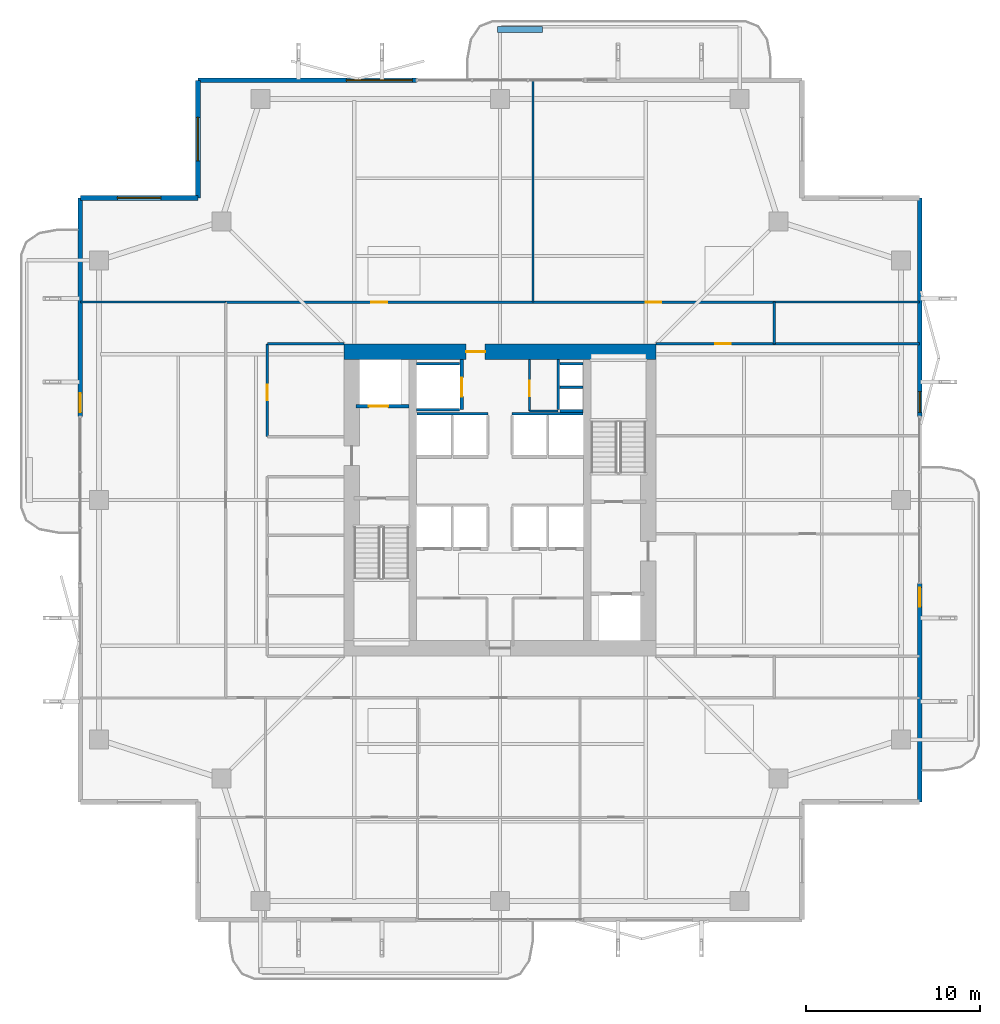
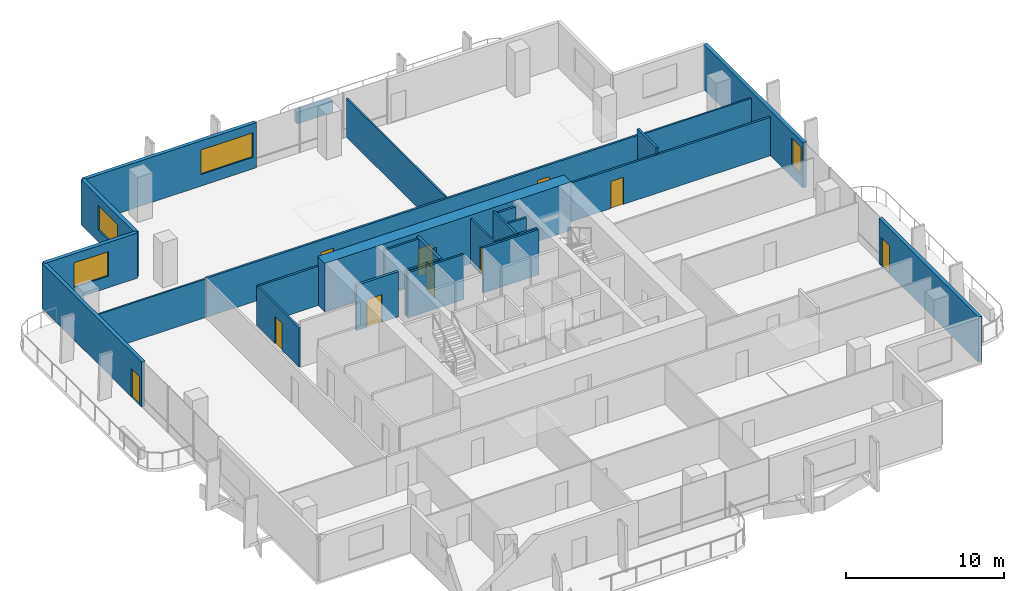
# One storey, part 21 of 25: 28 walls, 10 doors, 4 windows, 14 openings.
"""IFC4 building model written with IfcOpenShell, lengths in metres."""

from ifc_helpers import new_model, si_unit, direction, frame, frame_2d, origin, place, context, subcontext, project, spatial, rectangle, extrude, material, layer, layer_set, type_object, element, fill, save


model = new_model("IFC4")

# Units and contexts
model_context = context("Model", 3, precision=1e-05, world=origin(), true_north=direction((0.0, 1.0)))
body_context = subcontext(model_context, "Body", "Model", "MODEL_VIEW")
ifc_project = project(units=[si_unit("LENGTHUNIT", "METRE"), si_unit("AREAUNIT", "SQUARE_METRE"), si_unit("VOLUMEUNIT", "CUBIC_METRE"), si_unit("PLANEANGLEUNIT", "RADIAN"), si_unit("MASSUNIT", "GRAM", prefix="KILO")], contexts=[model_context])

# Site, building, storey
site_placement = place(None, origin())
site = spatial("IfcSite", under=ifc_project, at=site_placement, CompositionType="ELEMENT")
building_placement = place(site_placement, origin())
building = spatial("IfcBuilding", under=site, at=building_placement, Name="Belovzor Exchange Tower", CompositionType="ELEMENT")
storey_placement = place(building_placement, frame((0.0, 0.0, 149.550048828125)))
storey = spatial("IfcBuildingStorey", under=building, at=storey_placement, Name="L36", CompositionType="ELEMENT", Elevation=149.550048828125)

# Walls
ifc_material_1 = material(Name="Acoustic Plasterboard on Galvanised Studs", Category="gypsum")
ifc_layer_1 = layer(ifc_material_1, 0.1201171875)
ifc_layer_set_1 = layer_set([ifc_layer_1], Name="Acoustic Plasterboard on Galvanised Studs")
wall_type_1 = type_object("IfcWallType", Name="Acoustic Double-Stud Partition Wall 120", PredefinedType="PARTITIONING", material=ifc_layer_set_1)
wall_1_placement = place(storey_placement, frame((30.68994140625, 40.199951171875, 0.0), z_axis=(0.0, 0.0, 1.0), x_axis=(0.0, 1.0, 0.0)))
element("IfcWall", 1, at=wall_1_placement, inside=storey, type_object=wall_type_1, Name="W-P120 Partition Wall W-L36-NDIV-1", PredefinedType="PARTITIONING", context=body_context, shape_type="SweptSolid", body=[
    extrude(rectangle(XDim=12.77001953125, YDim=0.1201171875, at=frame_2d((6.385009765625, 0.0))), origin(), (0.0, 0.0, 1.0), 2.97998046875),
])
wall_2_placement = place(storey_placement, frame((4.6298828125, 40.199951171875, 0.0), z_axis=(0.0, 0.0, 1.0), x_axis=(1.0, 0.0, 0.0)))
element("IfcWall", 2, at=wall_2_placement, inside=storey, type_object=wall_type_1, Name="W-P120 Partition Wall W-L36-END-NW", PredefinedType="PARTITIONING", context=body_context, shape_type="SweptSolid", body=[
    extrude(rectangle(XDim=8.3701171875, YDim=0.1201171875, at=frame_2d((4.18505859375, 0.0))), origin(), (0.0, 0.0, 1.0), 2.97998046875),
])
wall_3_placement = place(storey_placement, frame((44.60009765625, 40.199951171875, 0.0), z_axis=(0.0, 0.0, 1.0), x_axis=(1.0, 0.0, 0.0)))
element("IfcWall", 3, at=wall_3_placement, inside=storey, type_object=wall_type_1, Name="W-P120 Partition Wall W-L36-END-NE", PredefinedType="PARTITIONING", context=body_context, shape_type="SweptSolid", body=[
    extrude(rectangle(XDim=8.369873046875, YDim=0.1201171875, at=frame_2d((4.18505859375, 0.0))), origin(), (0.0, 0.0, 1.0), 2.97998046875),
])

# Wall, opening, door
ifc_material_2 = material(Name="Fire-Rated Plasterboard on Galvanised Studs", Category="gypsum")
ifc_layer_2 = layer(ifc_material_2, 0.1201171875)
ifc_layer_set_2 = layer_set([ifc_layer_2], Name="Fire-Rated Plasterboard on Galvanised Studs")
wall_type_2 = type_object("IfcWallType", Name="Fire-Rated Double-Stud Partition Wall 120", PredefinedType="PARTITIONING", material=ifc_layer_set_2)
wall_4_placement = place(storey_placement, frame((30.5, 33.925048828125, 0.0), z_axis=(0.0, 0.0, 1.0), x_axis=(0.0, 1.0, 0.0)))
wall_4 = element("IfcWall", 4, at=wall_4_placement, inside=storey, type_object=wall_type_2, Name="W-P120F Partition Wall W-CRV-L36-W", PredefinedType="PARTITIONING", context=body_context, shape_type="SweptSolid", body=[
    extrude(rectangle(XDim=2.974853515625, YDim=0.1201171875, at=frame_2d((1.4873046875, 0.0))), origin(), (0.0, 0.0, 1.0), 3.494873046875),
])
opening_1_placement = place(wall_4_placement, frame((0.85009765625, 0.0, 0.0)))
opening_1 = element("IfcOpeningElement", 5, at=opening_1_placement, cuts=wall_4, Name="Opening D-FD60-090", PredefinedType="OPENING", context=body_context, shape_type="SweptSolid", body=[
    extrude(rectangle(XDim=0.89990234375, YDim=2.10009765625, at=frame_2d((0.449951171875, 1.050048828125))), frame((0.0, 0.070068359375, 0.0), z_axis=(0.0, -1.0, 0.0), x_axis=(1.0, 0.0, 0.0)), (0.0, 0.0, 1.0), 0.14013671875),
])
ifc_material_3 = material(Name="Acoustic Timber Fire Leaf", Category="wood")
door_type_1 = type_object("IfcDoorType", Name="Core Service & Restroom Fire Door 900x2100", OperationType="NOTDEFINED", PredefinedType="DOOR", material=ifc_material_3)
door_1_placement = place(opening_1_placement, origin())
door_1 = element("IfcDoor", 6, at=door_1_placement, inside=storey, type_object=door_type_1, Name="D-FD60-090 Core Service & Restroom Fire Door 900x2100", OperationType="SINGLE_SWING_LEFT", OverallHeight=2.10009765625, OverallWidth=0.89990234375, PredefinedType="DOOR", context=body_context, shape_type="SweptSolid", body=[
    extrude(rectangle(XDim=0.89990234375, YDim=2.10009765625, at=frame_2d((0.449951171875, 1.050048828125))), frame((0.0, 0.02490234375, 0.0), z_axis=(0.0, -1.0, 0.0), x_axis=(1.0, 0.0, 0.0)), (0.0, 0.0, 1.0), 0.050048828125),
])
fill(opening_1, door_1)

# Walls
wall_5_placement = place(storey_placement, frame((30.5, 33.925048828125, 0.0), z_axis=(0.0, 0.0, 1.0), x_axis=(1.0, 0.0, 0.0)))
element("IfcWall", 7, at=wall_5_placement, inside=storey, type_object=wall_type_2, Name="W-P120F Partition Wall W-CRV-L36-S", PredefinedType="PARTITIONING", context=body_context, shape_type="SweptSolid", body=[
    extrude(rectangle(XDim=1.64990234375, YDim=0.1201171875, at=frame_2d((0.824951171875, 0.0))), origin(), (0.0, 0.0, 1.0), 3.494873046875),
])
ifc_material_4 = material(Name="Fire-Rated Gypsum Block and Mineral Wool", Category="gypsum")
ifc_layer_3 = layer(ifc_material_4, 0.14990234375)
ifc_layer_set_3 = layer_set([ifc_layer_3], Name="Fire-Rated Gypsum Block and Mineral Wool")
wall_type_3 = type_object("IfcWallType", Name="Fire-Rated Gypsum Block Corridor Wall 150", PredefinedType="PARTITIONING", material=ifc_layer_set_3)
wall_6_placement = place(storey_placement, frame((15.39990234375, 37.800048828125, 0.0), z_axis=(0.0, 0.0, 1.0), x_axis=(1.0, 0.0, 0.0)))
element("IfcWall", 8, at=wall_6_placement, inside=storey, type_object=wall_type_3, Name="W-P150 Partition Wall W-L36-INW-N", PredefinedType="PARTITIONING", context=body_context, shape_type="SweptSolid", body=[
    extrude(rectangle(XDim=4.400146484375, YDim=0.14990234375, at=frame_2d((2.2001953125, 0.0))), origin(), (0.0, 0.0, 1.0), 3.030029296875),
])

# Wall, opening, door
wall_7_placement = place(storey_placement, frame((15.39990234375, 32.449951171875, 0.0), z_axis=(0.0, 0.0, 1.0), x_axis=(0.0, 1.0, 0.0)))
wall_7 = element("IfcWall", 9, at=wall_7_placement, inside=storey, type_object=wall_type_3, Name="W-P150 Partition Wall W-L36-WIE-N", PredefinedType="PARTITIONING", context=body_context, shape_type="SweptSolid", body=[
    extrude(rectangle(XDim=5.35009765625, YDim=0.14990234375, at=frame_2d((2.675048828125, 0.0))), origin(), (0.0, 0.0, 1.0), 3.030029296875),
])
opening_2_placement = place(wall_7_placement, frame((2.10009765625, 0.0, 0.0)))
opening_2 = element("IfcOpeningElement", 10, at=opening_2_placement, cuts=wall_7, Name="Opening D-FD60-090", PredefinedType="OPENING", context=body_context, shape_type="SweptSolid", body=[
    extrude(rectangle(XDim=0.89990234375, YDim=2.10009765625, at=frame_2d((0.449951171875, 1.050048828125))), frame((0.0, 0.0849609375, 0.0), z_axis=(0.0, -1.0, 0.0), x_axis=(1.0, 0.0, 0.0)), (0.0, 0.0, 1.0), 0.169921875),
])
door_2_placement = place(opening_2_placement, origin())
door_2 = element("IfcDoor", 11, at=door_2_placement, inside=storey, type_object=door_type_1, Name="D-FD60-090 Core Service & Restroom Fire Door 900x2100", OperationType="SINGLE_SWING_LEFT", OverallHeight=2.10009765625, OverallWidth=0.89990234375, PredefinedType="DOOR", context=body_context, shape_type="SweptSolid", body=[
    extrude(rectangle(XDim=0.89990234375, YDim=2.10009765625, at=frame_2d((0.449951171875, 1.050048828125))), frame((0.0, 0.02490234375, 0.0), z_axis=(0.0, -1.0, 0.0), x_axis=(1.0, 0.0, 0.0)), (0.0, 0.0, 1.0), 0.050048828125),
])
fill(opening_2, door_2)

# Wall
wall_8_placement = place(storey_placement, frame((44.60009765625, 37.800048828125, 0.0), z_axis=(0.0, 0.0, 1.0), x_axis=(0.0, 1.0, 0.0)))
element("IfcWall", 12, at=wall_8_placement, inside=storey, type_object=wall_type_3, Name="W-P150 Partition Wall W-L36-END-EN", PredefinedType="PARTITIONING", context=body_context, shape_type="SweptSolid", body=[
    extrude(rectangle(XDim=2.39990234375, YDim=0.14990234375, at=frame_2d((1.199951171875, 0.0))), origin(), (0.0, 0.0, 1.0), 3.494873046875),
])

# Wall, opening, door
wall_9_placement = place(storey_placement, frame((37.800048828125, 37.800048828125, 0.0), z_axis=(0.0, 0.0, 1.0), x_axis=(1.0, 0.0, 0.0)))
wall_9 = element("IfcWall", 13, at=wall_9_placement, inside=storey, type_object=wall_type_3, Name="W-P150 Partition Wall W-L36-CN-IN", PredefinedType="PARTITIONING", context=body_context, shape_type="SweptSolid", body=[
    extrude(rectangle(XDim=15.169921875, YDim=0.14990234375, at=frame_2d((7.5849609375, 0.0))), origin(), (0.0, 0.0, 1.0), 2.97998046875),
])
opening_3_placement = place(wall_9_placement, frame((3.39990234375, 0.0, 0.0)))
opening_3 = element("IfcOpeningElement", 14, at=opening_3_placement, cuts=wall_9, Name="Opening D-INT-090", PredefinedType="OPENING", context=body_context, shape_type="SweptSolid", body=[
    extrude(rectangle(XDim=0.89990234375, YDim=2.10009765625, at=frame_2d((0.449951171875, 1.050048828125))), frame((0.0, 0.0849609375, 0.0), z_axis=(0.0, -1.0, 0.0), x_axis=(1.0, 0.0, 0.0)), (0.0, 0.0, 1.0), 0.169921875),
])
ifc_material_5 = material(Name="Veneered Hardwood Acoustic Leaf", Category="wood")
door_type_2 = type_object("IfcDoorType", Name="Trading Suite Acoustic Single Door 900x2100", OperationType="NOTDEFINED", PredefinedType="DOOR", material=ifc_material_5)
door_3_placement = place(opening_3_placement, origin())
door_3 = element("IfcDoor", 15, at=door_3_placement, inside=storey, type_object=door_type_2, Name="D-INT-090 Trading Suite Acoustic Single Door 900x2100", OperationType="SINGLE_SWING_RIGHT", OverallHeight=2.10009765625, OverallWidth=0.89990234375, PredefinedType="DOOR", context=body_context, shape_type="SweptSolid", body=[
    extrude(rectangle(XDim=0.89990234375, YDim=2.10009765625, at=frame_2d((0.449951171875, 1.050048828125))), frame((0.0, 0.02490234375, 0.0), z_axis=(0.0, -1.0, 0.0), x_axis=(1.0, 0.0, 0.0)), (0.0, 0.0, 1.0), 0.050048828125),
])
fill(opening_3, door_3)

# Wall, openings, doors
wall_10_placement = place(storey_placement, frame((13.0, 40.199951171875, 0.0), z_axis=(0.0, 0.0, 1.0), x_axis=(1.0, 0.0, 0.0)))
wall_10 = element("IfcWall", 16, at=wall_10_placement, inside=storey, type_object=wall_type_3, Name="W-P150 Partition Wall W-L36-CN", PredefinedType="PARTITIONING", context=body_context, shape_type="SweptSolid", body=[
    extrude(rectangle(XDim=31.60009765625, YDim=0.14990234375, at=frame_2d((15.800048828125, 0.0))), origin(), (0.0, 0.0, 1.0), 3.030029296875),
])
opening_4_placement = place(wall_10_placement, frame((8.39501953125, 0.0, 0.0)))
opening_4 = element("IfcOpeningElement", 17, at=opening_4_placement, cuts=wall_10, Name="Opening D-INT-090", PredefinedType="OPENING", context=body_context, shape_type="SweptSolid", body=[
    extrude(rectangle(XDim=0.89990234375, YDim=2.10009765625, at=frame_2d((0.449951171875, 1.050048828125))), frame((0.0, 0.0849609375, 0.0), z_axis=(0.0, -1.0, 0.0), x_axis=(1.0, 0.0, 0.0)), (0.0, 0.0, 1.0), 0.169921875),
])
opening_5_placement = place(wall_10_placement, frame((24.195068359375, 0.0, 0.0)))
opening_5 = element("IfcOpeningElement", 18, at=opening_5_placement, cuts=wall_10, Name="Opening D-INT-090", PredefinedType="OPENING", context=body_context, shape_type="SweptSolid", body=[
    extrude(rectangle(XDim=0.89990234375, YDim=2.10009765625, at=frame_2d((0.449951171875, 1.050048828125))), frame((0.0, 0.0849609375, 0.0), z_axis=(0.0, -1.0, 0.0), x_axis=(1.0, 0.0, 0.0)), (0.0, 0.0, 1.0), 0.169921875),
])
door_4_placement = place(opening_4_placement, origin())
door_4 = element("IfcDoor", 19, at=door_4_placement, inside=storey, type_object=door_type_2, Name="D-INT-090 Trading Suite Acoustic Single Door 900x2100", OperationType="SINGLE_SWING_LEFT", OverallHeight=2.10009765625, OverallWidth=0.89990234375, PredefinedType="DOOR", context=body_context, shape_type="SweptSolid", body=[
    extrude(rectangle(XDim=0.89990234375, YDim=2.10009765625, at=frame_2d((0.449951171875, 1.050048828125))), frame((0.0, 0.02490234375, 0.0), z_axis=(0.0, -1.0, 0.0), x_axis=(1.0, 0.0, 0.0)), (0.0, 0.0, 1.0), 0.050048828125),
])
fill(opening_4, door_4)
door_5_placement = place(opening_5_placement, origin())
door_5 = element("IfcDoor", 20, at=door_5_placement, inside=storey, type_object=door_type_2, Name="D-INT-090 Trading Suite Acoustic Single Door 900x2100", OperationType="SINGLE_SWING_RIGHT", OverallHeight=2.10009765625, OverallWidth=0.89990234375, PredefinedType="DOOR", context=body_context, shape_type="SweptSolid", body=[
    extrude(rectangle(XDim=0.89990234375, YDim=2.10009765625, at=frame_2d((0.449951171875, 1.050048828125))), frame((0.0, 0.02490234375, 0.0), z_axis=(0.0, -1.0, 0.0), x_axis=(1.0, 0.0, 0.0)), (0.0, 0.0, 1.0), 0.050048828125),
])
fill(opening_5, door_5)

# Wall, opening, window
ifc_material_6 = material(Name="Precast concrete C40/50", Category="concrete")
ifc_layer_4 = layer(ifc_material_6, 0.280029296875)
ifc_layer_set_4 = layer_set([ifc_layer_4], Name="Precast concrete C40/50")
wall_type_4 = type_object("IfcWallType", Name="Precast Concrete Notched Corner Frame Wall 280", PredefinedType="SOLIDWALL", material=ifc_layer_set_4)
wall_11_placement = place(storey_placement, frame((4.6298828125, 46.199951171875, 0.0), z_axis=(0.0, 0.0, 1.0), x_axis=(1.0, 0.0, 0.0)))
wall_11 = element("IfcWall", 21, at=wall_11_placement, inside=storey, type_object=wall_type_4, Name="W-CRN280 Precast Concrete Notched Corner Frame Wall 280 L36", PredefinedType="SOLIDWALL", context=body_context, shape_type="SweptSolid", body=[
    extrude(rectangle(XDim=6.77001953125, YDim=0.280029296875, at=frame_2d((3.385009765625, 0.0))), origin(), (0.0, 0.0, 1.0), 3.494873046875),
])
opening_6_placement = place(wall_11_placement, frame((2.135009765625, 0.0, 0.89990234375)))
opening_6 = element("IfcOpeningElement", 22, at=opening_6_placement, cuts=wall_11, Name="Opening WN-CRN250", PredefinedType="OPENING", context=body_context, shape_type="SweptSolid", body=[
    extrude(rectangle(XDim=2.5, YDim=1.89990234375, at=frame_2d((1.25, 0.949951171875))), frame((0.0, 0.14990234375, 0.0), z_axis=(0.0, -1.0, 0.0), x_axis=(1.0, 0.0, 0.0)), (0.0, 0.0, 1.0), 0.300048828125),
])
ifc_material_7 = material(Name="Thermally Broken Aluminium and Triple Glazing", Category="aluminium")
window_type_1 = type_object("IfcWindowType", Name="Streamline Moderne Corner Wrap Ribbon Window 2500x1900", PartitioningType="SINGLE_PANEL", PredefinedType="WINDOW", material=ifc_material_7)
window_1_placement = place(opening_6_placement, origin())
window_1 = element("IfcWindow", 23, at=window_1_placement, inside=storey, type_object=window_type_1, Name="WN-CRN250 Streamline Moderne Corner Wrap Ribbon Window 2500x1900", OverallHeight=1.89990234375, OverallWidth=2.5, PartitioningType="SINGLE_PANEL", PredefinedType="WINDOW", context=body_context, shape_type="SweptSolid", body=[
    extrude(rectangle(XDim=2.5, YDim=1.89990234375, at=frame_2d((1.25, 0.949951171875))), frame((0.0, 0.030029296875, 0.0), z_axis=(0.0, -1.0, 0.0), x_axis=(1.0, 0.0, 0.0)), (0.0, 0.0, 1.0), 0.06005859375),
])
fill(opening_6, window_1)

wall_12_placement = place(storey_placement, frame((11.39990234375, 46.199951171875, 0.0), z_axis=(0.0, 0.0, 1.0), x_axis=(0.0, 1.0, 0.0)))
wall_12 = element("IfcWall", 24, at=wall_12_placement, inside=storey, type_object=wall_type_4, Name="W-CRN280 Precast Concrete Notched Corner Frame Wall 280 L36", PredefinedType="SOLIDWALL", context=body_context, shape_type="SweptSolid", body=[
    extrude(rectangle(XDim=6.77001953125, YDim=0.280029296875, at=frame_2d((3.385009765625, 0.0))), origin(), (0.0, 0.0, 1.0), 3.494873046875),
])
opening_7_placement = place(wall_12_placement, frame((2.135009765625, 0.0, 0.89990234375)))
opening_7 = element("IfcOpeningElement", 25, at=opening_7_placement, cuts=wall_12, Name="Opening WN-CRN250", PredefinedType="OPENING", context=body_context, shape_type="SweptSolid", body=[
    extrude(rectangle(XDim=2.5, YDim=1.89990234375, at=frame_2d((1.25, 0.949951171875))), frame((0.0, 0.14990234375, 0.0), z_axis=(0.0, -1.0, 0.0), x_axis=(1.0, 0.0, 0.0)), (0.0, 0.0, 1.0), 0.300048828125),
])
window_2_placement = place(opening_7_placement, origin())
window_2 = element("IfcWindow", 26, at=window_2_placement, inside=storey, type_object=window_type_1, Name="WN-CRN250 Streamline Moderne Corner Wrap Ribbon Window 2500x1900", OverallHeight=1.89990234375, OverallWidth=2.5, PartitioningType="SINGLE_PANEL", PredefinedType="WINDOW", context=body_context, shape_type="SweptSolid", body=[
    extrude(rectangle(XDim=2.5, YDim=1.89990234375, at=frame_2d((1.25, 0.949951171875))), frame((0.0, 0.030029296875, 0.0), z_axis=(0.0, -1.0, 0.0), x_axis=(1.0, 0.0, 0.0)), (0.0, 0.0, 1.0), 0.06005859375),
])
fill(opening_7, window_2)

ifc_material_8 = material(Name="Precast concrete C40/50", Category="concrete")
ifc_layer_5 = layer(ifc_material_8, 0.260009765625)
ifc_layer_set_5 = layer_set([ifc_layer_5], Name="Precast concrete C40/50")
wall_type_5 = type_object("IfcWallType", Name="Precast Concrete Perimeter Loggia Frame Wall 260", PredefinedType="SOLIDWALL", material=ifc_layer_set_5)
wall_13_placement = place(storey_placement, frame((11.39990234375, 52.969970703125, 0.0), z_axis=(0.0, 0.0, 1.0), x_axis=(1.0, 0.0, 0.0)))
wall_13 = element("IfcWall", 27, at=wall_13_placement, inside=storey, type_object=wall_type_5, Name="W-EXT260 Precast Concrete Perimeter Loggia Frame Wall 260 L36", PredefinedType="SOLIDWALL", context=body_context, shape_type="SweptSolid", body=[
    extrude(rectangle(XDim=12.60009765625, YDim=0.260009765625, at=frame_2d((6.300048828125, 0.0))), origin(), (0.0, 0.0, 1.0), 3.494873046875),
])
opening_8_placement = place(wall_13_placement, frame((8.550048828125, 0.0, 0.89990234375)))
opening_8 = element("IfcOpeningElement", 28, at=opening_8_placement, cuts=wall_13, Name="Opening WN-RIB380", PredefinedType="OPENING", context=body_context, shape_type="SweptSolid", body=[
    extrude(rectangle(XDim=3.800048828125, YDim=1.89990234375, at=frame_2d((1.89990234375, 0.949951171875))), frame((0.0, 0.139892578125, 0.0), z_axis=(0.0, -1.0, 0.0), x_axis=(1.0, 0.0, 0.0)), (0.0, 0.0, 1.0), 0.280029296875),
])
ifc_material_9 = material(Name="Thermally Broken Aluminium and Triple Glazing", Category="aluminium")
window_type_2 = type_object("IfcWindowType", Name="Streamline Moderne Horizontal Ribbon Window 3800x1900", PartitioningType="SINGLE_PANEL", PredefinedType="WINDOW", material=ifc_material_9)
window_3_placement = place(opening_8_placement, origin())
window_3 = element("IfcWindow", 29, at=window_3_placement, inside=storey, type_object=window_type_2, Name="WN-RIB380 Streamline Moderne Horizontal Ribbon Window 3800x1900", OverallHeight=1.89990234375, OverallWidth=3.800048828125, PartitioningType="SINGLE_PANEL", PredefinedType="WINDOW", context=body_context, shape_type="SweptSolid", body=[
    extrude(rectangle(XDim=3.800048828125, YDim=1.89990234375, at=frame_2d((1.89990234375, 0.949951171875))), frame((0.0, 0.030029296875, 0.0), z_axis=(0.0, -1.0, 0.0), x_axis=(1.0, 0.0, 0.0)), (0.0, 0.0, 1.0), 0.06005859375),
])
fill(opening_8, window_3)

# Wall, opening, door
wall_14_placement = place(storey_placement, frame((4.6298828125, 33.60009765625, 0.0), z_axis=(0.0, 0.0, 1.0), x_axis=(0.0, 1.0, 0.0)))
wall_14 = element("IfcWall", 30, at=wall_14_placement, inside=storey, type_object=wall_type_5, Name="W-EXT260 Precast Concrete Perimeter Loggia Frame Wall 260 L36", PredefinedType="SOLIDWALL", context=body_context, shape_type="SweptSolid", body=[
    extrude(rectangle(XDim=12.599853515625, YDim=0.260009765625, at=frame_2d((6.2998046875, 0.0))), origin(), (0.0, 0.0, 1.0), 3.494873046875),
])
opening_9_placement = place(wall_14_placement, frame((0.25, 0.0, 0.0)))
opening_9 = element("IfcOpeningElement", 31, at=opening_9_placement, cuts=wall_14, Name="Opening D-BAL110", PredefinedType="OPENING", context=body_context, shape_type="SweptSolid", body=[
    extrude(rectangle(XDim=1.10009765625, YDim=2.199951171875, at=frame_2d((0.550048828125, 1.10009765625))), frame((0.0, 0.139892578125, 0.0), z_axis=(0.0, -1.0, 0.0), x_axis=(1.0, 0.0, 0.0)), (0.0, 0.0, 1.0), 0.280029296875),
])
ifc_material_10 = material(Name="Thermally Broken Anodised Aluminium and Laminated Glass", Category="aluminium")
door_type_3 = type_object("IfcDoorType", Name="Planted Loggia Terrace Glazed Door 1100x2200", OperationType="SINGLE_SWING_LEFT", PredefinedType="DOOR", material=ifc_material_10)
door_6_placement = place(opening_9_placement, origin())
door_6 = element("IfcDoor", 32, at=door_6_placement, inside=storey, type_object=door_type_3, Name="D-BAL110 Balcony Terrace Door L36 W", OperationType="SINGLE_SWING_RIGHT", OverallHeight=2.199951171875, OverallWidth=1.10009765625, PredefinedType="DOOR", context=body_context, shape_type="SweptSolid", body=[
    extrude(rectangle(XDim=1.10009765625, YDim=2.199951171875, at=frame_2d((0.550048828125, 1.10009765625))), frame((0.0, 0.02490234375, 0.0), z_axis=(0.0, -1.0, 0.0), x_axis=(1.0, 0.0, 0.0)), (0.0, 0.0, 1.0), 0.050048828125),
])
fill(opening_9, door_6)

# Wall, opening, window
wall_15_placement = place(storey_placement, frame((52.969970703125, 46.199951171875, 0.0), z_axis=(0.0, 0.0, 1.0), x_axis=(0.0, -1.0, 0.0)))
wall_15 = element("IfcWall", 33, at=wall_15_placement, inside=storey, type_object=wall_type_5, Name="W-EXT260 Precast Concrete Perimeter Loggia Frame Wall 260 L36", PredefinedType="SOLIDWALL", context=body_context, shape_type="SweptSolid", body=[
    extrude(rectangle(XDim=12.599853515625, YDim=0.260009765625, at=frame_2d((6.2998046875, 0.0))), origin(), (0.0, 0.0, 1.0), 3.494873046875),
])
opening_10_placement = place(wall_15_placement, frame((11.14990234375, 0.0, 0.89990234375)))
opening_10 = element("IfcOpeningElement", 34, at=opening_10_placement, cuts=wall_15, Name="Opening WN-CRN120", PredefinedType="OPENING", context=body_context, shape_type="SweptSolid", body=[
    extrude(rectangle(XDim=1.199951171875, YDim=2.10009765625, at=frame_2d((0.60009765625, 1.050048828125))), frame((0.0, 0.139892578125, 0.0), z_axis=(0.0, -1.0, 0.0), x_axis=(1.0, 0.0, 0.0)), (0.0, 0.0, 1.0), 0.280029296875),
])
ifc_material_11 = material(Name="Thermally Broken Aluminium and Triple Glazing", Category="aluminium")
window_type_3 = type_object("IfcWindowType", Name="Streamline Notched Corner Window 1200x2100", PartitioningType="SINGLE_PANEL", PredefinedType="WINDOW", material=ifc_material_11)
window_4_placement = place(opening_10_placement, origin())
window_4 = element("IfcWindow", 35, at=window_4_placement, inside=storey, type_object=window_type_3, Name="WN-CRN120 Streamline Notched Corner Window 1200x2100", OverallHeight=2.10009765625, OverallWidth=1.199951171875, PartitioningType="SINGLE_PANEL", PredefinedType="WINDOW", context=body_context, shape_type="SweptSolid", body=[
    extrude(rectangle(XDim=1.199951171875, YDim=2.10009765625, at=frame_2d((0.60009765625, 1.050048828125))), frame((0.0, 0.030029296875, 0.0), z_axis=(0.0, -1.0, 0.0), x_axis=(1.0, 0.0, 0.0)), (0.0, 0.0, 1.0), 0.06005859375),
])
fill(opening_10, window_4)

# Wall, opening, door
wall_16_placement = place(storey_placement, frame((52.969970703125, 24.0, 0.0), z_axis=(0.0, 0.0, 1.0), x_axis=(0.0, -1.0, 0.0)))
wall_16 = element("IfcWall", 36, at=wall_16_placement, inside=storey, type_object=wall_type_5, Name="W-EXT260 Precast Concrete Perimeter Loggia Frame Wall 260 L36", PredefinedType="SOLIDWALL", context=body_context, shape_type="SweptSolid", body=[
    extrude(rectangle(XDim=12.60009765625, YDim=0.260009765625, at=frame_2d((6.300048828125, 0.0))), origin(), (0.0, 0.0, 1.0), 3.494873046875),
])
opening_11_placement = place(wall_16_placement, frame((0.25, 0.0, 0.0)))
opening_11 = element("IfcOpeningElement", 37, at=opening_11_placement, cuts=wall_16, Name="Opening D-BAL110", PredefinedType="OPENING", context=body_context, shape_type="SweptSolid", body=[
    extrude(rectangle(XDim=1.10009765625, YDim=2.199951171875, at=frame_2d((0.550048828125, 1.10009765625))), frame((0.0, 0.139892578125, 0.0), z_axis=(0.0, -1.0, 0.0), x_axis=(1.0, 0.0, 0.0)), (0.0, 0.0, 1.0), 0.280029296875),
])
door_7_placement = place(opening_11_placement, origin())
door_7 = element("IfcDoor", 38, at=door_7_placement, inside=storey, type_object=door_type_3, Name="D-BAL110 Balcony Terrace Door L36 E", OperationType="SINGLE_SWING_LEFT", OverallHeight=2.199951171875, OverallWidth=1.10009765625, PredefinedType="DOOR", context=body_context, shape_type="SweptSolid", body=[
    extrude(rectangle(XDim=1.10009765625, YDim=2.199951171875, at=frame_2d((0.550048828125, 1.10009765625))), frame((0.0, 0.02490234375, 0.0), z_axis=(0.0, -1.0, 0.0), x_axis=(1.0, 0.0, 0.0)), (0.0, 0.0, 1.0), 0.050048828125),
])
fill(opening_11, door_7)

# Walls
ifc_material_12 = material(Name="Precast concrete C40/50", Category="concrete")
ifc_layer_6 = layer(ifc_material_12, 0.35009765625)
ifc_layer_set_6 = layer_set([ifc_layer_6], Name="Precast concrete C40/50")
wall_type_6 = type_object("IfcWallType", Name="Precast Concrete Structural Tree Planter Trough 350", PredefinedType="PARAPET", material=ifc_layer_set_6)
wall_17_placement = place(storey_placement, frame((28.64990234375, 55.89990234375, 0.0), z_axis=(0.0, 0.0, 1.0), x_axis=(1.0, 0.0, 0.0)))
element("IfcWall", 39, at=wall_17_placement, inside=storey, type_object=wall_type_6, Name="PT-350 Precast Concrete Structural Tree Planter Trough 350 L36", PredefinedType="PARAPET", context=body_context, shape_type="SweptSolid", body=[
    extrude(rectangle(XDim=2.60009765625, YDim=0.35009765625, at=frame_2d((1.300048828125, 0.0))), origin(), (0.0, 0.0, 1.0), 0.89990234375),
])
ifc_material_13 = material(Name="Concrete C50/60", Category="concrete")
ifc_layer_7 = layer(ifc_material_13, 0.14990234375)
ifc_layer_set_7 = layer_set([ifc_layer_7], Name="Concrete C50/60")
wall_type_7 = type_object("IfcWallType", Name="Reinforced Concrete Core Riser Shear Wall 150", PredefinedType="SHEAR", material=ifc_layer_set_7)
wall_18_placement = place(storey_placement, frame((32.14990234375, 34.0, 0.0), z_axis=(0.0, 0.0, 1.0), x_axis=(0.0, 1.0, 0.0)))
element("IfcWall", 40, at=wall_18_placement, inside=storey, type_object=wall_type_7, Name="W-C150S Core Shaft Wall W-RSR-L36-E", PredefinedType="SHEAR", context=body_context, shape_type="SweptSolid", body=[
    extrude(rectangle(XDim=2.89990234375, YDim=0.14990234375, at=frame_2d((1.449951171875, 0.0))), origin(), (0.0, 0.0, 1.0), 3.494873046875),
])
for number, where, z_axis, x_axis, name in (
    (41, (32.25, 33.925048828125, 0.0), (0.0, 0.0, 1.0), (1.0, 0.0, 0.0), "W-C150S Core Shaft Wall W-RSR-L36-S"),
    (42, (32.25, 35.300048828125, 0.0), (0.0, 0.0, 1.0), (1.0, 0.0, 0.0), "W-C150S Core Shaft Wall W-RSR-L36-M"),
):
    element("IfcWall", number, at=place(storey_placement, frame(where, z_axis=z_axis, x_axis=x_axis)), inside=storey, type_object=wall_type_7, Name=name, PredefinedType="SHEAR", context=body_context, shape_type="SweptSolid", body=[
        extrude(rectangle(XDim=1.330078125, YDim=0.14990234375, at=frame_2d((0.6650390625, 0.0))), origin(), (0.0, 0.0, 1.0), 3.494873046875),
    ])
for number, where, z_axis, x_axis, name in (
    (43, (24.0, 34.0, 0.0), (0.0, 0.0, 1.0), (1.0, 0.0, 0.0), "W-C150S Core Shaft Wall W-SH-L36-SL-01S"),
    (44, (24.0, 36.64990234375, 0.0), (0.0, 0.0, 1.0), (1.0, 0.0, 0.0), "W-C150S Core Shaft Wall W-SH-L36-SL-01N"),
):
    element("IfcWall", number, at=place(storey_placement, frame(where, z_axis=z_axis, x_axis=x_axis)), inside=storey, type_object=wall_type_7, Name=name, PredefinedType="SHEAR", context=body_context, shape_type="SweptSolid", body=[
        extrude(rectangle(XDim=2.47998046875, YDim=0.14990234375, at=frame_2d((1.239990234375, 0.0))), origin(), (0.0, 0.0, 1.0), 3.494873046875),
    ])
wall_19_placement = place(storey_placement, frame((32.25, 36.64990234375, 0.0), z_axis=(0.0, 0.0, 1.0), x_axis=(1.0, 0.0, 0.0)))
element("IfcWall", 45, at=wall_19_placement, inside=storey, type_object=wall_type_7, Name="W-C150S Core Shaft Wall W-RSR-L36-N", PredefinedType="SHEAR", context=body_context, shape_type="SweptSolid", body=[
    extrude(rectangle(XDim=1.330078125, YDim=0.14990234375, at=frame_2d((0.6650390625, 0.0))), origin(), (0.0, 0.0, 1.0), 3.494873046875),
])
for number, where, z_axis, x_axis, name in (
    (46, (24.02001953125, 33.760009765625, 0.0), (0.0, 0.0, 1.0), (1.0, 0.0, 0.0), "W-C150S Core Shaft Wall W-SHB-L36-PLH-NW"),
    (47, (29.5, 33.760009765625, 0.0), (0.0, 0.0, 1.0), (1.0, 0.0, 0.0), "W-C150S Core Shaft Wall W-SHB-L36-PLH-NE"),
):
    element("IfcWall", number, at=place(storey_placement, frame(where, z_axis=z_axis, x_axis=x_axis)), inside=storey, type_object=wall_type_7, Name=name, PredefinedType="SHEAR", context=body_context, shape_type="SweptSolid", body=[
        extrude(rectangle(XDim=4.080078125, YDim=0.14990234375, at=frame_2d((2.0400390625, 0.0))), origin(), (0.0, 0.0, 1.0), 3.494873046875),
    ])

# Wall, opening, door
ifc_material_14 = material(Name="Concrete C50/60", Category="concrete")
ifc_layer_8 = layer(ifc_material_14, 0.199951171875)
ifc_layer_set_8 = layer_set([ifc_layer_8], Name="Concrete C50/60")
wall_type_8 = type_object("IfcWallType", Name="Reinforced Concrete Core Shaft Shear Wall 200", PredefinedType="SHEAR", material=ifc_layer_set_8)
wall_20_placement = place(storey_placement, frame((20.5, 34.199951171875, 0.0), z_axis=(0.0, 0.0, 1.0), x_axis=(1.0, 0.0, 0.0)))
wall_20 = element("IfcWall", 48, at=wall_20_placement, inside=storey, type_object=wall_type_8, Name="W-C200S Core Shaft Wall W-SH-L36-FFL-01", PredefinedType="SHEAR", context=body_context, shape_type="SweptSolid", body=[
    extrude(rectangle(XDim=3.050048828125, YDim=0.199951171875, at=frame_2d((1.52490234375, 0.0))), origin(), (0.0, 0.0, 1.0), 3.494873046875),
])
opening_12_placement = place(wall_20_placement, frame((0.75, 0.0, 0.0)))
opening_12 = element("IfcOpeningElement", 49, at=opening_12_placement, cuts=wall_20, Name="Opening LD-110", PredefinedType="OPENING", context=body_context, shape_type="SweptSolid", body=[
    extrude(rectangle(XDim=1.10009765625, YDim=2.14990234375, at=frame_2d((0.550048828125, 1.074951171875))), frame((0.0, 0.10986328125, 0.0), z_axis=(0.0, -1.0, 0.0), x_axis=(1.0, 0.0, 0.0)), (0.0, 0.0, 1.0), 0.219970703125),
])
ifc_material_15 = material(Name="Stainless Steel Grade 304", Category="steel")
door_type_4 = type_object("IfcDoorType", Name="Automated Stainless Steel Lift Landing Door 1100x2150", OperationType="SLIDING_TO_RIGHT", PredefinedType="DOOR", material=ifc_material_15)
door_8_placement = place(opening_12_placement, origin())
door_8 = element("IfcDoor", 50, at=door_8_placement, inside=storey, type_object=door_type_4, Name="LD-110 Automated Stainless Steel Lift Landing Door 1100x2150", OperationType="SLIDING_TO_RIGHT", OverallHeight=2.14990234375, OverallWidth=1.10009765625, PredefinedType="DOOR", context=body_context, shape_type="SweptSolid", body=[
    extrude(rectangle(XDim=1.10009765625, YDim=2.14990234375, at=frame_2d((0.550048828125, 1.074951171875))), frame((0.0, 0.02490234375, 0.0), z_axis=(0.0, -1.0, 0.0), x_axis=(1.0, 0.0, 0.0)), (0.0, 0.0, 1.0), 0.050048828125),
])
fill(opening_12, door_8)

wall_21_placement = place(storey_placement, frame((26.60009765625, 34.0, 0.0), z_axis=(0.0, 0.0, 1.0), x_axis=(0.0, 1.0, 0.0)))
wall_21 = element("IfcWall", 51, at=wall_21_placement, inside=storey, type_object=wall_type_8, Name="W-C200S Core Shaft Wall W-SH-L36-SL-01", PredefinedType="SHEAR", context=body_context, shape_type="SweptSolid", body=[
    extrude(rectangle(XDim=2.89990234375, YDim=0.199951171875, at=frame_2d((1.449951171875, 0.0))), origin(), (0.0, 0.0, 1.0), 3.494873046875),
])
opening_13_placement = place(wall_21_placement, frame((0.75, 0.0, 0.0)))
opening_13 = element("IfcOpeningElement", 52, at=opening_13_placement, cuts=wall_21, Name="Opening LD-110", PredefinedType="OPENING", context=body_context, shape_type="SweptSolid", body=[
    extrude(rectangle(XDim=1.10009765625, YDim=2.14990234375, at=frame_2d((0.550048828125, 1.074951171875))), frame((0.0, 0.10986328125, 0.0), z_axis=(0.0, -1.0, 0.0), x_axis=(1.0, 0.0, 0.0)), (0.0, 0.0, 1.0), 0.219970703125),
])
door_9_placement = place(opening_13_placement, origin())
door_9 = element("IfcDoor", 53, at=door_9_placement, inside=storey, type_object=door_type_4, Name="LD-110 Automated Stainless Steel Lift Landing Door 1100x2150", OperationType="SLIDING_TO_RIGHT", OverallHeight=2.14990234375, OverallWidth=1.10009765625, PredefinedType="DOOR", context=body_context, shape_type="SweptSolid", body=[
    extrude(rectangle(XDim=1.10009765625, YDim=2.14990234375, at=frame_2d((0.550048828125, 1.074951171875))), frame((0.0, 0.02490234375, 0.0), z_axis=(0.0, -1.0, 0.0), x_axis=(1.0, 0.0, 0.0)), (0.0, 0.0, 1.0), 0.050048828125),
])
fill(opening_13, door_9)

ifc_material_16 = material(Name="Concrete C60/75", Category="concrete")
ifc_layer_9 = layer(ifc_material_16, 0.89990234375)
ifc_layer_set_9 = layer_set([ifc_layer_9], Name="Concrete C60/75")
wall_type_9 = type_object("IfcWallType", Name="Reinforced Concrete Core Shear Wall 900", PredefinedType="SHEAR", material=ifc_layer_set_9)
wall_22_placement = place(storey_placement, frame((19.800048828125, 37.35009765625, 0.0), z_axis=(0.0, 0.0, 1.0), x_axis=(1.0, 0.0, 0.0)))
wall_22 = element("IfcWall", 54, at=wall_22_placement, inside=storey, type_object=wall_type_9, Name="CW-S090 Core Shear Wall L36 N", PredefinedType="SHEAR", context=body_context, shape_type="SweptSolid", body=[
    extrude(rectangle(XDim=18.0, YDim=0.89990234375, at=frame_2d((9.0, 0.0))), origin(), (0.0, 0.0, 1.0), 3.75),
])
opening_14_placement = place(wall_22_placement, frame((7.050048828125, 0.0, 0.0)))
opening_14 = element("IfcOpeningElement", 55, at=opening_14_placement, cuts=wall_22, Name="Opening D-FD90-110", PredefinedType="OPENING", context=body_context, shape_type="SweptSolid", body=[
    extrude(rectangle(XDim=1.10009765625, YDim=2.14990234375, at=frame_2d((0.550048828125, 1.074951171875))), frame((0.0, 0.4599609375, 0.0), z_axis=(0.0, -1.0, 0.0), x_axis=(1.0, 0.0, 0.0)), (0.0, 0.0, 1.0), 0.919921875),
])
ifc_material_17 = material(Name="Fire-Rated Galvanised Steel Leaf", Category="steel")
door_type_5 = type_object("IfcDoorType", Name="Protected Escape Vestibule Fire Door 1100x2150", OperationType="NOTDEFINED", PredefinedType="DOOR", material=ifc_material_17)
door_10_placement = place(opening_14_placement, origin())
door_10 = element("IfcDoor", 56, at=door_10_placement, inside=storey, type_object=door_type_5, Name="D-FD90-110 Protected Escape Vestibule Fire Door 1100x2150", OperationType="SINGLE_SWING_RIGHT", OverallHeight=2.14990234375, OverallWidth=1.10009765625, PredefinedType="DOOR", context=body_context, shape_type="SweptSolid", body=[
    extrude(rectangle(XDim=1.10009765625, YDim=2.14990234375, at=frame_2d((0.550048828125, 1.074951171875))), frame((0.0, 0.02490234375, 0.0), z_axis=(0.0, -1.0, 0.0), x_axis=(1.0, 0.0, 0.0)), (0.0, 0.0, 1.0), 0.050048828125),
])
fill(opening_14, door_10)

save(model, "model.ifc")
